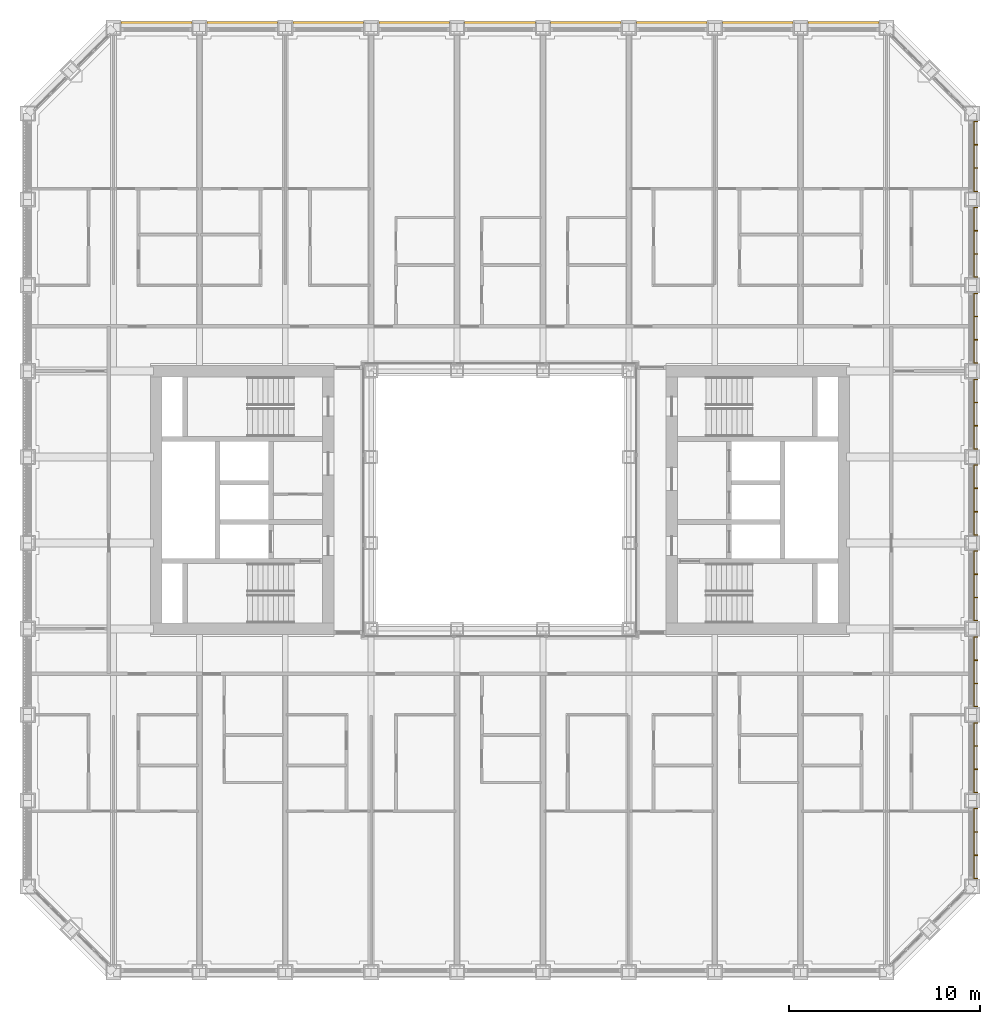
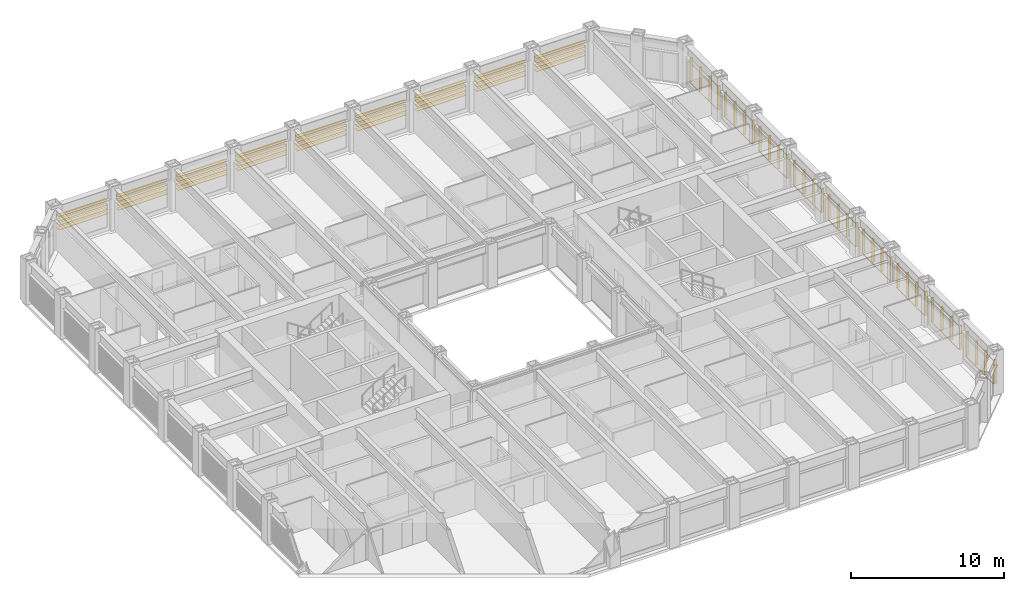
# One storey, part 21 of 21: 2 shading devices.
"""IFC4 building model written with IfcOpenShell, lengths in metres."""

from ifc_helpers import new_model, si_unit, direction, frame, origin, origin_2d, place, context, subcontext, project, spatial, rectangle, extrude, material, type_object, element, save


model = new_model("IFC4")

# Units and contexts
model_context = context("Model", 3, precision=1e-05, world=origin(), true_north=direction((0.0, 1.0)))
body_context = subcontext(model_context, "Body", "Model", "MODEL_VIEW")
ifc_project = project(units=[si_unit("LENGTHUNIT", "METRE"), si_unit("AREAUNIT", "SQUARE_METRE"), si_unit("VOLUMEUNIT", "CUBIC_METRE"), si_unit("PLANEANGLEUNIT", "RADIAN"), si_unit("MASSUNIT", "GRAM", prefix="KILO")], contexts=[model_context])

# Site, building, storey
site_placement = place(None, origin())
site = spatial("IfcSite", under=ifc_project, at=site_placement, CompositionType="ELEMENT")
building_placement = place(site_placement, origin())
building = spatial("IfcBuilding", under=site, at=building_placement, Name="Msasa Ring Tower", CompositionType="ELEMENT")
storey_placement = place(building_placement, frame((0.0, 0.0, 37.0)))
storey = spatial("IfcBuildingStorey", under=building, at=storey_placement, Name="L08", CompositionType="ELEMENT", Elevation=37.0)

# Shading devices
ifc_material_1 = material(Name="Extruded terracotta on aluminium carriers", Category="masonry")
shading_device_type_1 = type_object("IfcShadingDeviceType", Name="BS2 TERRACOTTA FIN SCREEN 40x200 AT 1350", PredefinedType="USERDEFINED", material=ifc_material_1)
shading_device_1_placement = place(storey_placement, origin())
element("IfcShadingDevice", 1, at=shading_device_1_placement, inside=storey, type_object=shading_device_type_1, Name="Terracotta fin screen E L08", ObjectType="BAGUETTE", PredefinedType="USERDEFINED", context=body_context, shape_type="SweptSolid", body=[
    extrude(rectangle(XDim=0.06005859375, YDim=0.0400390625, at=origin_2d()), frame((24.830078125, -19.85009765625, 0.330078125), z_axis=(0.0, 1.0, 0.0), x_axis=(0.0, 0.0, 1.0)), (0.0, 0.0, 1.0), 3.699951171875),
    extrude(rectangle(XDim=0.06005859375, YDim=0.0400390625, at=origin_2d()), frame((24.830078125, -19.85009765625, 2.198974609375), z_axis=(0.0, 1.0, 0.0), x_axis=(0.0, 0.0, 1.0)), (0.0, 0.0, 1.0), 3.699951171875),
    extrude(rectangle(XDim=0.0400390625, YDim=0.199951171875, at=origin_2d()), frame((24.945068359375, -19.830078125, 0.300048828125), z_axis=(0.0, 0.0, 1.0), x_axis=(0.0, 1.0, 0.0)), (0.0, 0.0, 1.0), 1.928955078125),
    extrude(rectangle(XDim=0.0400390625, YDim=0.199951171875, at=origin_2d()), frame((24.945068359375, -18.610107421875, 0.300048828125), z_axis=(0.0, 0.0, 1.0), x_axis=(0.0, 1.0, 0.0)), (0.0, 0.0, 1.0), 1.928955078125),
    extrude(rectangle(XDim=0.0400390625, YDim=0.199951171875, at=origin_2d()), frame((24.945068359375, -17.389892578125, 0.300048828125), z_axis=(0.0, 0.0, 1.0), x_axis=(0.0, 1.0, 0.0)), (0.0, 0.0, 1.0), 1.928955078125),
    extrude(rectangle(XDim=0.0400390625, YDim=0.199951171875, at=origin_2d()), frame((24.945068359375, -16.169921875, 0.300048828125), z_axis=(0.0, 0.0, 1.0), x_axis=(0.0, 1.0, 0.0)), (0.0, 0.0, 1.0), 1.928955078125),
    extrude(rectangle(XDim=0.06005859375, YDim=0.0400390625, at=origin_2d()), frame((24.830078125, -15.35009765625, 0.330078125), z_axis=(0.0, 1.0, 0.0), x_axis=(0.0, 0.0, 1.0)), (0.0, 0.0, 1.0), 3.699951171875),
    extrude(rectangle(XDim=0.06005859375, YDim=0.0400390625, at=origin_2d()), frame((24.830078125, -15.35009765625, 2.198974609375), z_axis=(0.0, 1.0, 0.0), x_axis=(0.0, 0.0, 1.0)), (0.0, 0.0, 1.0), 3.699951171875),
    extrude(rectangle(XDim=0.0400390625, YDim=0.199951171875, at=origin_2d()), frame((24.945068359375, -15.330078125, 0.300048828125), z_axis=(0.0, 0.0, 1.0), x_axis=(0.0, 1.0, 0.0)), (0.0, 0.0, 1.0), 1.928955078125),
    extrude(rectangle(XDim=0.0400390625, YDim=0.199951171875, at=origin_2d()), frame((24.945068359375, -14.110107421875, 0.300048828125), z_axis=(0.0, 0.0, 1.0), x_axis=(0.0, 1.0, 0.0)), (0.0, 0.0, 1.0), 1.928955078125),
    extrude(rectangle(XDim=0.0400390625, YDim=0.199951171875, at=origin_2d()), frame((24.945068359375, -12.889892578125, 0.300048828125), z_axis=(0.0, 0.0, 1.0), x_axis=(0.0, 1.0, 0.0)), (0.0, 0.0, 1.0), 1.928955078125),
    extrude(rectangle(XDim=0.0400390625, YDim=0.199951171875, at=origin_2d()), frame((24.945068359375, -11.669921875, 0.300048828125), z_axis=(0.0, 0.0, 1.0), x_axis=(0.0, 1.0, 0.0)), (0.0, 0.0, 1.0), 1.928955078125),
    extrude(rectangle(XDim=0.06005859375, YDim=0.0400390625, at=origin_2d()), frame((24.830078125, -10.85009765625, 0.330078125), z_axis=(0.0, 1.0, 0.0), x_axis=(0.0, 0.0, 1.0)), (0.0, 0.0, 1.0), 3.699951171875),
    extrude(rectangle(XDim=0.06005859375, YDim=0.0400390625, at=origin_2d()), frame((24.830078125, -10.85009765625, 2.198974609375), z_axis=(0.0, 1.0, 0.0), x_axis=(0.0, 0.0, 1.0)), (0.0, 0.0, 1.0), 3.699951171875),
    extrude(rectangle(XDim=0.0400390625, YDim=0.199951171875, at=origin_2d()), frame((24.945068359375, -10.830078125, 0.300048828125), z_axis=(0.0, 0.0, 1.0), x_axis=(0.0, 1.0, 0.0)), (0.0, 0.0, 1.0), 1.928955078125),
    extrude(rectangle(XDim=0.0400390625, YDim=0.199951171875, at=origin_2d()), frame((24.945068359375, -9.610107421875, 0.300048828125), z_axis=(0.0, 0.0, 1.0), x_axis=(0.0, 1.0, 0.0)), (0.0, 0.0, 1.0), 1.928955078125),
    extrude(rectangle(XDim=0.0400390625, YDim=0.199951171875, at=origin_2d()), frame((24.945068359375, -8.389892578125, 0.300048828125), z_axis=(0.0, 0.0, 1.0), x_axis=(0.0, 1.0, 0.0)), (0.0, 0.0, 1.0), 1.928955078125),
    extrude(rectangle(XDim=0.0400390625, YDim=0.199951171875, at=origin_2d()), frame((24.945068359375, -7.169921875, 0.300048828125), z_axis=(0.0, 0.0, 1.0), x_axis=(0.0, 1.0, 0.0)), (0.0, 0.0, 1.0), 1.928955078125),
    extrude(rectangle(XDim=0.06005859375, YDim=0.0400390625, at=origin_2d()), frame((24.830078125, -6.35009765625, 0.330078125), z_axis=(0.0, 1.0, 0.0), x_axis=(0.0, 0.0, 1.0)), (0.0, 0.0, 1.0), 3.699951171875),
    extrude(rectangle(XDim=0.06005859375, YDim=0.0400390625, at=origin_2d()), frame((24.830078125, -6.35009765625, 2.198974609375), z_axis=(0.0, 1.0, 0.0), x_axis=(0.0, 0.0, 1.0)), (0.0, 0.0, 1.0), 3.699951171875),
    extrude(rectangle(XDim=0.0400390625, YDim=0.199951171875, at=origin_2d()), frame((24.945068359375, -6.330078125, 0.300048828125), z_axis=(0.0, 0.0, 1.0), x_axis=(0.0, 1.0, 0.0)), (0.0, 0.0, 1.0), 1.928955078125),
    extrude(rectangle(XDim=0.0400390625, YDim=0.199951171875, at=origin_2d()), frame((24.945068359375, -5.110107421875, 0.300048828125), z_axis=(0.0, 0.0, 1.0), x_axis=(0.0, 1.0, 0.0)), (0.0, 0.0, 1.0), 1.928955078125),
    extrude(rectangle(XDim=0.0400390625, YDim=0.199951171875, at=origin_2d()), frame((24.945068359375, -3.889892578125, 0.300048828125), z_axis=(0.0, 0.0, 1.0), x_axis=(0.0, 1.0, 0.0)), (0.0, 0.0, 1.0), 1.928955078125),
    extrude(rectangle(XDim=0.0400390625, YDim=0.199951171875, at=origin_2d()), frame((24.945068359375, -2.669921875, 0.300048828125), z_axis=(0.0, 0.0, 1.0), x_axis=(0.0, 1.0, 0.0)), (0.0, 0.0, 1.0), 1.928955078125),
    extrude(rectangle(XDim=0.06005859375, YDim=0.0400390625, at=origin_2d()), frame((24.830078125, -1.85009765625, 0.330078125), z_axis=(0.0, 1.0, 0.0), x_axis=(0.0, 0.0, 1.0)), (0.0, 0.0, 1.0), 3.699951171875),
    extrude(rectangle(XDim=0.06005859375, YDim=0.0400390625, at=origin_2d()), frame((24.830078125, -1.85009765625, 2.198974609375), z_axis=(0.0, 1.0, 0.0), x_axis=(0.0, 0.0, 1.0)), (0.0, 0.0, 1.0), 3.699951171875),
    extrude(rectangle(XDim=0.0400390625, YDim=0.199951171875, at=origin_2d()), frame((24.945068359375, -1.830078125, 0.300048828125), z_axis=(0.0, 0.0, 1.0), x_axis=(0.0, 1.0, 0.0)), (0.0, 0.0, 1.0), 1.928955078125),
    extrude(rectangle(XDim=0.0400390625, YDim=0.199951171875, at=origin_2d()), frame((24.945068359375, -0.610107421875, 0.300048828125), z_axis=(0.0, 0.0, 1.0), x_axis=(0.0, 1.0, 0.0)), (0.0, 0.0, 1.0), 1.928955078125),
    extrude(rectangle(XDim=0.0400390625, YDim=0.199951171875, at=origin_2d()), frame((24.945068359375, 0.610107421875, 0.300048828125), z_axis=(0.0, 0.0, 1.0), x_axis=(0.0, 1.0, 0.0)), (0.0, 0.0, 1.0), 1.928955078125),
    extrude(rectangle(XDim=0.0400390625, YDim=0.199951171875, at=origin_2d()), frame((24.945068359375, 1.830078125, 0.300048828125), z_axis=(0.0, 0.0, 1.0), x_axis=(0.0, 1.0, 0.0)), (0.0, 0.0, 1.0), 1.928955078125),
    extrude(rectangle(XDim=0.06005859375, YDim=0.0400390625, at=origin_2d()), frame((24.830078125, 2.64990234375, 0.330078125), z_axis=(0.0, 1.0, 0.0), x_axis=(0.0, 0.0, 1.0)), (0.0, 0.0, 1.0), 3.699951171875),
    extrude(rectangle(XDim=0.06005859375, YDim=0.0400390625, at=origin_2d()), frame((24.830078125, 2.64990234375, 2.198974609375), z_axis=(0.0, 1.0, 0.0), x_axis=(0.0, 0.0, 1.0)), (0.0, 0.0, 1.0), 3.699951171875),
    extrude(rectangle(XDim=0.0400390625, YDim=0.199951171875, at=origin_2d()), frame((24.945068359375, 2.669921875, 0.300048828125), z_axis=(0.0, 0.0, 1.0), x_axis=(0.0, 1.0, 0.0)), (0.0, 0.0, 1.0), 1.928955078125),
    extrude(rectangle(XDim=0.0400390625, YDim=0.199951171875, at=origin_2d()), frame((24.945068359375, 3.889892578125, 0.300048828125), z_axis=(0.0, 0.0, 1.0), x_axis=(0.0, 1.0, 0.0)), (0.0, 0.0, 1.0), 1.928955078125),
    extrude(rectangle(XDim=0.0400390625, YDim=0.199951171875, at=origin_2d()), frame((24.945068359375, 5.110107421875, 0.300048828125), z_axis=(0.0, 0.0, 1.0), x_axis=(0.0, 1.0, 0.0)), (0.0, 0.0, 1.0), 1.928955078125),
    extrude(rectangle(XDim=0.0400390625, YDim=0.199951171875, at=origin_2d()), frame((24.945068359375, 6.330078125, 0.300048828125), z_axis=(0.0, 0.0, 1.0), x_axis=(0.0, 1.0, 0.0)), (0.0, 0.0, 1.0), 1.928955078125),
    extrude(rectangle(XDim=0.06005859375, YDim=0.0400390625, at=origin_2d()), frame((24.830078125, 7.14990234375, 0.330078125), z_axis=(0.0, 1.0, 0.0), x_axis=(0.0, 0.0, 1.0)), (0.0, 0.0, 1.0), 3.699951171875),
    extrude(rectangle(XDim=0.06005859375, YDim=0.0400390625, at=origin_2d()), frame((24.830078125, 7.14990234375, 2.198974609375), z_axis=(0.0, 1.0, 0.0), x_axis=(0.0, 0.0, 1.0)), (0.0, 0.0, 1.0), 3.699951171875),
    extrude(rectangle(XDim=0.0400390625, YDim=0.199951171875, at=origin_2d()), frame((24.945068359375, 7.169921875, 0.300048828125), z_axis=(0.0, 0.0, 1.0), x_axis=(0.0, 1.0, 0.0)), (0.0, 0.0, 1.0), 1.928955078125),
    extrude(rectangle(XDim=0.0400390625, YDim=0.199951171875, at=origin_2d()), frame((24.945068359375, 8.389892578125, 0.300048828125), z_axis=(0.0, 0.0, 1.0), x_axis=(0.0, 1.0, 0.0)), (0.0, 0.0, 1.0), 1.928955078125),
    extrude(rectangle(XDim=0.0400390625, YDim=0.199951171875, at=origin_2d()), frame((24.945068359375, 9.610107421875, 0.300048828125), z_axis=(0.0, 0.0, 1.0), x_axis=(0.0, 1.0, 0.0)), (0.0, 0.0, 1.0), 1.928955078125),
    extrude(rectangle(XDim=0.0400390625, YDim=0.199951171875, at=origin_2d()), frame((24.945068359375, 10.830078125, 0.300048828125), z_axis=(0.0, 0.0, 1.0), x_axis=(0.0, 1.0, 0.0)), (0.0, 0.0, 1.0), 1.928955078125),
    extrude(rectangle(XDim=0.06005859375, YDim=0.0400390625, at=origin_2d()), frame((24.830078125, 11.64990234375, 0.330078125), z_axis=(0.0, 1.0, 0.0), x_axis=(0.0, 0.0, 1.0)), (0.0, 0.0, 1.0), 3.699951171875),
    extrude(rectangle(XDim=0.06005859375, YDim=0.0400390625, at=origin_2d()), frame((24.830078125, 11.64990234375, 2.198974609375), z_axis=(0.0, 1.0, 0.0), x_axis=(0.0, 0.0, 1.0)), (0.0, 0.0, 1.0), 3.699951171875),
    extrude(rectangle(XDim=0.0400390625, YDim=0.199951171875, at=origin_2d()), frame((24.945068359375, 11.669921875, 0.300048828125), z_axis=(0.0, 0.0, 1.0), x_axis=(0.0, 1.0, 0.0)), (0.0, 0.0, 1.0), 1.928955078125),
    extrude(rectangle(XDim=0.0400390625, YDim=0.199951171875, at=origin_2d()), frame((24.945068359375, 12.889892578125, 0.300048828125), z_axis=(0.0, 0.0, 1.0), x_axis=(0.0, 1.0, 0.0)), (0.0, 0.0, 1.0), 1.928955078125),
    extrude(rectangle(XDim=0.0400390625, YDim=0.199951171875, at=origin_2d()), frame((24.945068359375, 14.110107421875, 0.300048828125), z_axis=(0.0, 0.0, 1.0), x_axis=(0.0, 1.0, 0.0)), (0.0, 0.0, 1.0), 1.928955078125),
    extrude(rectangle(XDim=0.0400390625, YDim=0.199951171875, at=origin_2d()), frame((24.945068359375, 15.330078125, 0.300048828125), z_axis=(0.0, 0.0, 1.0), x_axis=(0.0, 1.0, 0.0)), (0.0, 0.0, 1.0), 1.928955078125),
    extrude(rectangle(XDim=0.06005859375, YDim=0.0400390625, at=origin_2d()), frame((24.830078125, 16.14990234375, 0.330078125), z_axis=(0.0, 1.0, 0.0), x_axis=(0.0, 0.0, 1.0)), (0.0, 0.0, 1.0), 3.699951171875),
    extrude(rectangle(XDim=0.06005859375, YDim=0.0400390625, at=origin_2d()), frame((24.830078125, 16.14990234375, 2.198974609375), z_axis=(0.0, 1.0, 0.0), x_axis=(0.0, 0.0, 1.0)), (0.0, 0.0, 1.0), 3.699951171875),
    extrude(rectangle(XDim=0.0400390625, YDim=0.199951171875, at=origin_2d()), frame((24.945068359375, 16.169921875, 0.300048828125), z_axis=(0.0, 0.0, 1.0), x_axis=(0.0, 1.0, 0.0)), (0.0, 0.0, 1.0), 1.928955078125),
    extrude(rectangle(XDim=0.0400390625, YDim=0.199951171875, at=origin_2d()), frame((24.945068359375, 17.389892578125, 0.300048828125), z_axis=(0.0, 0.0, 1.0), x_axis=(0.0, 1.0, 0.0)), (0.0, 0.0, 1.0), 1.928955078125),
    extrude(rectangle(XDim=0.0400390625, YDim=0.199951171875, at=origin_2d()), frame((24.945068359375, 18.610107421875, 0.300048828125), z_axis=(0.0, 0.0, 1.0), x_axis=(0.0, 1.0, 0.0)), (0.0, 0.0, 1.0), 1.928955078125),
    extrude(rectangle(XDim=0.0400390625, YDim=0.199951171875, at=origin_2d()), frame((24.945068359375, 19.830078125, 0.300048828125), z_axis=(0.0, 0.0, 1.0), x_axis=(0.0, 1.0, 0.0)), (0.0, 0.0, 1.0), 1.928955078125),
])
ifc_material_2 = material(Name="Extruded terracotta blades", Category="masonry")
shading_device_type_2 = type_object("IfcShadingDeviceType", Name="SS1 TERRACOTTA SUNSHADE 4 BLADES 300x40 AT 350", PredefinedType="USERDEFINED", material=ifc_material_2)
shading_device_2_placement = place(storey_placement, origin())
element("IfcShadingDevice", 2, at=shading_device_2_placement, inside=storey, type_object=shading_device_type_2, Name="Terracotta sunshade N L08", ObjectType="SUNSHADE", PredefinedType="USERDEFINED", context=body_context, shape_type="SweptSolid", body=[
    extrude(rectangle(XDim=0.0400390625, YDim=0.300048828125, at=origin_2d()), frame((-19.85009765625, 24.929931640625, 2.208984375), z_axis=(1.0, 0.0, 0.0), x_axis=(0.0, 0.0, 1.0)), (0.0, 0.0, 1.0), 3.699951171875),
    extrude(rectangle(XDim=0.0400390625, YDim=0.300048828125, at=origin_2d()), frame((-19.85009765625, 24.929931640625, 1.85888671875), z_axis=(1.0, 0.0, 0.0), x_axis=(0.0, 0.0, 1.0)), (0.0, 0.0, 1.0), 3.699951171875),
    extrude(rectangle(XDim=0.0400390625, YDim=0.300048828125, at=origin_2d()), frame((-19.85009765625, 24.929931640625, 1.509033203125), z_axis=(1.0, 0.0, 0.0), x_axis=(0.0, 0.0, 1.0)), (0.0, 0.0, 1.0), 3.699951171875),
    extrude(rectangle(XDim=0.0400390625, YDim=0.300048828125, at=origin_2d()), frame((-19.85009765625, 24.929931640625, 1.158935546875), z_axis=(1.0, 0.0, 0.0), x_axis=(0.0, 0.0, 1.0)), (0.0, 0.0, 1.0), 3.699951171875),
    extrude(rectangle(XDim=0.0400390625, YDim=0.300048828125, at=origin_2d()), frame((-15.35009765625, 24.929931640625, 2.208984375), z_axis=(1.0, 0.0, 0.0), x_axis=(0.0, 0.0, 1.0)), (0.0, 0.0, 1.0), 3.699951171875),
    extrude(rectangle(XDim=0.0400390625, YDim=0.300048828125, at=origin_2d()), frame((-15.35009765625, 24.929931640625, 1.85888671875), z_axis=(1.0, 0.0, 0.0), x_axis=(0.0, 0.0, 1.0)), (0.0, 0.0, 1.0), 3.699951171875),
    extrude(rectangle(XDim=0.0400390625, YDim=0.300048828125, at=origin_2d()), frame((-15.35009765625, 24.929931640625, 1.509033203125), z_axis=(1.0, 0.0, 0.0), x_axis=(0.0, 0.0, 1.0)), (0.0, 0.0, 1.0), 3.699951171875),
    extrude(rectangle(XDim=0.0400390625, YDim=0.300048828125, at=origin_2d()), frame((-15.35009765625, 24.929931640625, 1.158935546875), z_axis=(1.0, 0.0, 0.0), x_axis=(0.0, 0.0, 1.0)), (0.0, 0.0, 1.0), 3.699951171875),
    extrude(rectangle(XDim=0.0400390625, YDim=0.300048828125, at=origin_2d()), frame((-10.85009765625, 24.929931640625, 2.208984375), z_axis=(1.0, 0.0, 0.0), x_axis=(0.0, 0.0, 1.0)), (0.0, 0.0, 1.0), 3.699951171875),
    extrude(rectangle(XDim=0.0400390625, YDim=0.300048828125, at=origin_2d()), frame((-10.85009765625, 24.929931640625, 1.85888671875), z_axis=(1.0, 0.0, 0.0), x_axis=(0.0, 0.0, 1.0)), (0.0, 0.0, 1.0), 3.699951171875),
    extrude(rectangle(XDim=0.0400390625, YDim=0.300048828125, at=origin_2d()), frame((-10.85009765625, 24.929931640625, 1.509033203125), z_axis=(1.0, 0.0, 0.0), x_axis=(0.0, 0.0, 1.0)), (0.0, 0.0, 1.0), 3.699951171875),
    extrude(rectangle(XDim=0.0400390625, YDim=0.300048828125, at=origin_2d()), frame((-10.85009765625, 24.929931640625, 1.158935546875), z_axis=(1.0, 0.0, 0.0), x_axis=(0.0, 0.0, 1.0)), (0.0, 0.0, 1.0), 3.699951171875),
    extrude(rectangle(XDim=0.0400390625, YDim=0.300048828125, at=origin_2d()), frame((-6.35009765625, 24.929931640625, 2.208984375), z_axis=(1.0, 0.0, 0.0), x_axis=(0.0, 0.0, 1.0)), (0.0, 0.0, 1.0), 3.699951171875),
    extrude(rectangle(XDim=0.0400390625, YDim=0.300048828125, at=origin_2d()), frame((-6.35009765625, 24.929931640625, 1.85888671875), z_axis=(1.0, 0.0, 0.0), x_axis=(0.0, 0.0, 1.0)), (0.0, 0.0, 1.0), 3.699951171875),
    extrude(rectangle(XDim=0.0400390625, YDim=0.300048828125, at=origin_2d()), frame((-6.35009765625, 24.929931640625, 1.509033203125), z_axis=(1.0, 0.0, 0.0), x_axis=(0.0, 0.0, 1.0)), (0.0, 0.0, 1.0), 3.699951171875),
    extrude(rectangle(XDim=0.0400390625, YDim=0.300048828125, at=origin_2d()), frame((-6.35009765625, 24.929931640625, 1.158935546875), z_axis=(1.0, 0.0, 0.0), x_axis=(0.0, 0.0, 1.0)), (0.0, 0.0, 1.0), 3.699951171875),
    extrude(rectangle(XDim=0.0400390625, YDim=0.300048828125, at=origin_2d()), frame((-1.85009765625, 24.929931640625, 2.208984375), z_axis=(1.0, 0.0, 0.0), x_axis=(0.0, 0.0, 1.0)), (0.0, 0.0, 1.0), 3.699951171875),
    extrude(rectangle(XDim=0.0400390625, YDim=0.300048828125, at=origin_2d()), frame((-1.85009765625, 24.929931640625, 1.85888671875), z_axis=(1.0, 0.0, 0.0), x_axis=(0.0, 0.0, 1.0)), (0.0, 0.0, 1.0), 3.699951171875),
    extrude(rectangle(XDim=0.0400390625, YDim=0.300048828125, at=origin_2d()), frame((-1.85009765625, 24.929931640625, 1.509033203125), z_axis=(1.0, 0.0, 0.0), x_axis=(0.0, 0.0, 1.0)), (0.0, 0.0, 1.0), 3.699951171875),
    extrude(rectangle(XDim=0.0400390625, YDim=0.300048828125, at=origin_2d()), frame((-1.85009765625, 24.929931640625, 1.158935546875), z_axis=(1.0, 0.0, 0.0), x_axis=(0.0, 0.0, 1.0)), (0.0, 0.0, 1.0), 3.699951171875),
    extrude(rectangle(XDim=0.0400390625, YDim=0.300048828125, at=origin_2d()), frame((2.64990234375, 24.929931640625, 2.208984375), z_axis=(1.0, 0.0, 0.0), x_axis=(0.0, 0.0, 1.0)), (0.0, 0.0, 1.0), 3.699951171875),
    extrude(rectangle(XDim=0.0400390625, YDim=0.300048828125, at=origin_2d()), frame((2.64990234375, 24.929931640625, 1.85888671875), z_axis=(1.0, 0.0, 0.0), x_axis=(0.0, 0.0, 1.0)), (0.0, 0.0, 1.0), 3.699951171875),
    extrude(rectangle(XDim=0.0400390625, YDim=0.300048828125, at=origin_2d()), frame((2.64990234375, 24.929931640625, 1.509033203125), z_axis=(1.0, 0.0, 0.0), x_axis=(0.0, 0.0, 1.0)), (0.0, 0.0, 1.0), 3.699951171875),
    extrude(rectangle(XDim=0.0400390625, YDim=0.300048828125, at=origin_2d()), frame((2.64990234375, 24.929931640625, 1.158935546875), z_axis=(1.0, 0.0, 0.0), x_axis=(0.0, 0.0, 1.0)), (0.0, 0.0, 1.0), 3.699951171875),
    extrude(rectangle(XDim=0.0400390625, YDim=0.300048828125, at=origin_2d()), frame((7.14990234375, 24.929931640625, 2.208984375), z_axis=(1.0, 0.0, 0.0), x_axis=(0.0, 0.0, 1.0)), (0.0, 0.0, 1.0), 3.699951171875),
    extrude(rectangle(XDim=0.0400390625, YDim=0.300048828125, at=origin_2d()), frame((7.14990234375, 24.929931640625, 1.85888671875), z_axis=(1.0, 0.0, 0.0), x_axis=(0.0, 0.0, 1.0)), (0.0, 0.0, 1.0), 3.699951171875),
    extrude(rectangle(XDim=0.0400390625, YDim=0.300048828125, at=origin_2d()), frame((7.14990234375, 24.929931640625, 1.509033203125), z_axis=(1.0, 0.0, 0.0), x_axis=(0.0, 0.0, 1.0)), (0.0, 0.0, 1.0), 3.699951171875),
    extrude(rectangle(XDim=0.0400390625, YDim=0.300048828125, at=origin_2d()), frame((7.14990234375, 24.929931640625, 1.158935546875), z_axis=(1.0, 0.0, 0.0), x_axis=(0.0, 0.0, 1.0)), (0.0, 0.0, 1.0), 3.699951171875),
    extrude(rectangle(XDim=0.0400390625, YDim=0.300048828125, at=origin_2d()), frame((11.64990234375, 24.929931640625, 2.208984375), z_axis=(1.0, 0.0, 0.0), x_axis=(0.0, 0.0, 1.0)), (0.0, 0.0, 1.0), 3.699951171875),
    extrude(rectangle(XDim=0.0400390625, YDim=0.300048828125, at=origin_2d()), frame((11.64990234375, 24.929931640625, 1.85888671875), z_axis=(1.0, 0.0, 0.0), x_axis=(0.0, 0.0, 1.0)), (0.0, 0.0, 1.0), 3.699951171875),
    extrude(rectangle(XDim=0.0400390625, YDim=0.300048828125, at=origin_2d()), frame((11.64990234375, 24.929931640625, 1.509033203125), z_axis=(1.0, 0.0, 0.0), x_axis=(0.0, 0.0, 1.0)), (0.0, 0.0, 1.0), 3.699951171875),
    extrude(rectangle(XDim=0.0400390625, YDim=0.300048828125, at=origin_2d()), frame((11.64990234375, 24.929931640625, 1.158935546875), z_axis=(1.0, 0.0, 0.0), x_axis=(0.0, 0.0, 1.0)), (0.0, 0.0, 1.0), 3.699951171875),
    extrude(rectangle(XDim=0.0400390625, YDim=0.300048828125, at=origin_2d()), frame((16.14990234375, 24.929931640625, 2.208984375), z_axis=(1.0, 0.0, 0.0), x_axis=(0.0, 0.0, 1.0)), (0.0, 0.0, 1.0), 3.699951171875),
    extrude(rectangle(XDim=0.0400390625, YDim=0.300048828125, at=origin_2d()), frame((16.14990234375, 24.929931640625, 1.85888671875), z_axis=(1.0, 0.0, 0.0), x_axis=(0.0, 0.0, 1.0)), (0.0, 0.0, 1.0), 3.699951171875),
    extrude(rectangle(XDim=0.0400390625, YDim=0.300048828125, at=origin_2d()), frame((16.14990234375, 24.929931640625, 1.509033203125), z_axis=(1.0, 0.0, 0.0), x_axis=(0.0, 0.0, 1.0)), (0.0, 0.0, 1.0), 3.699951171875),
    extrude(rectangle(XDim=0.0400390625, YDim=0.300048828125, at=origin_2d()), frame((16.14990234375, 24.929931640625, 1.158935546875), z_axis=(1.0, 0.0, 0.0), x_axis=(0.0, 0.0, 1.0)), (0.0, 0.0, 1.0), 3.699951171875),
])

save(model, "model.ifc")
